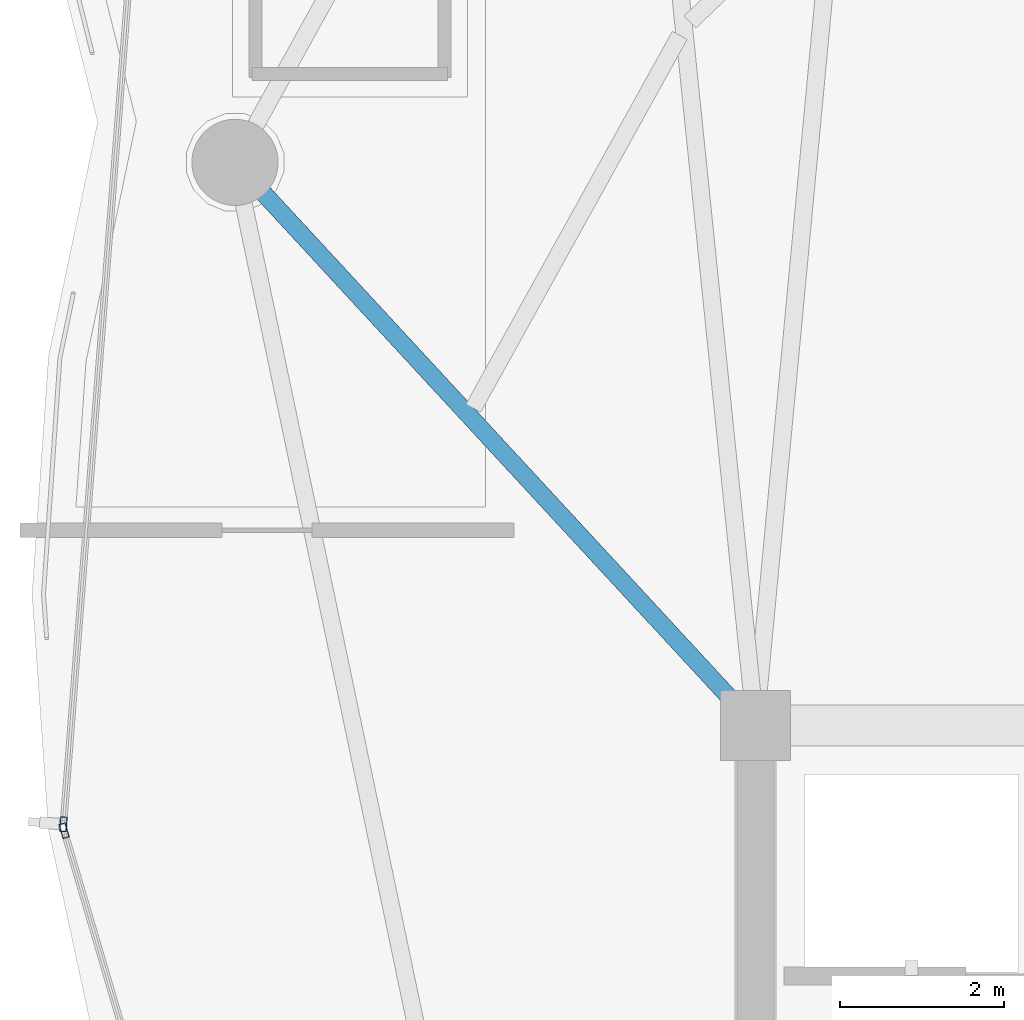
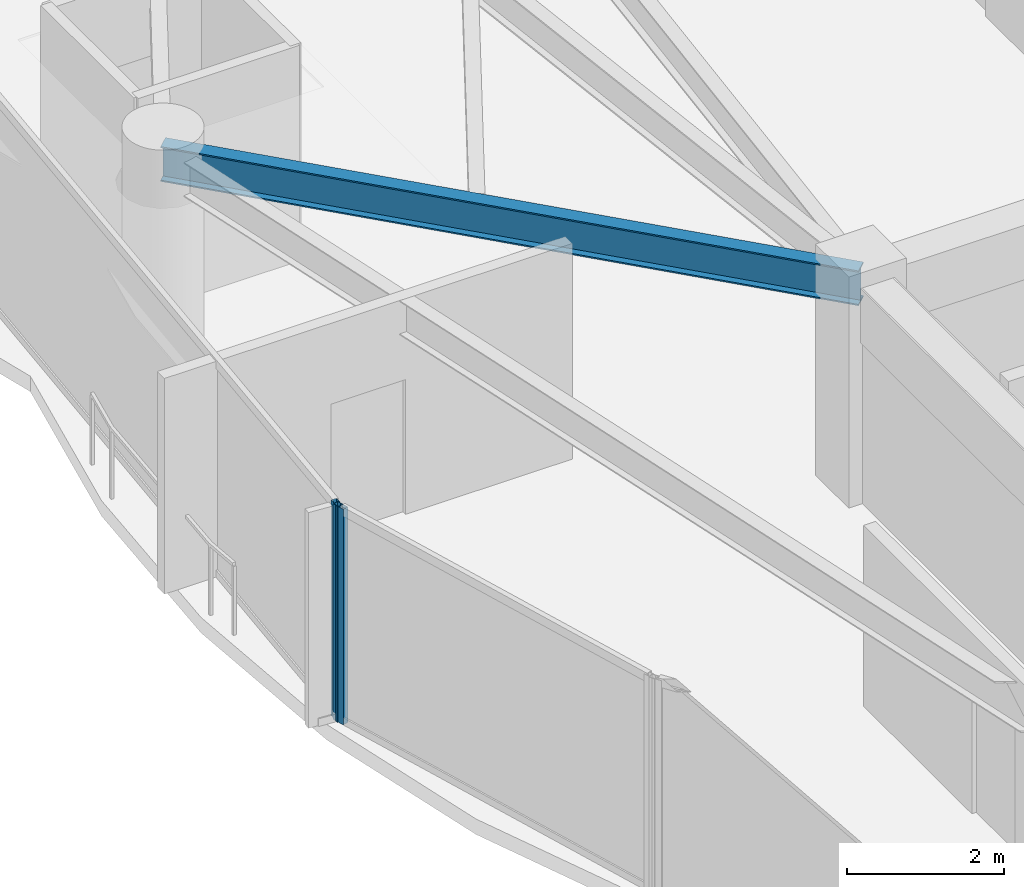
# One storey, part 8 of 30: 2 members, 1 beam, 2 elements without a shape of their own.
"""IFC4 building model written with IfcOpenShell, lengths in metres."""

from ifc_helpers import new_model, si_unit, direction, frame, origin, origin_2d, place, context, subcontext, project, spatial, hollow_rectangle, i_section, extrude, material, layer, layer_set, material_profile, profile_set, type_object, element, aggregate, save


model = new_model("IFC4")

# Units and contexts
model_context = context("Model", 3, precision=1e-05, world=origin(), true_north=direction((0.0, 1.0)))
body_context = subcontext(model_context, "Body", "Model", "MODEL_VIEW")
ifc_project = project(units=[si_unit("LENGTHUNIT", "METRE"), si_unit("AREAUNIT", "SQUARE_METRE"), si_unit("VOLUMEUNIT", "CUBIC_METRE"), si_unit("PLANEANGLEUNIT", "RADIAN"), si_unit("MASSUNIT", "GRAM", prefix="KILO")], contexts=[model_context])

# Site, building, storey
site_placement = place(None, origin())
site = spatial("IfcSite", under=ifc_project, at=site_placement, CompositionType="ELEMENT")
building_placement = place(site_placement, origin())
building = spatial("IfcBuilding", under=site, at=building_placement, Name="Kazevale Care Tower and Concert Hall", CompositionType="ELEMENT")
storey_placement = place(building_placement, frame((0.0, 0.0, 242.39990234375)))
storey = spatial("IfcBuildingStorey", under=building, at=storey_placement, Name="L64", CompositionType="ELEMENT", Elevation=242.39990234375)

# Curtain wall, member
ifc_material_1 = material(Name="Aluminium 6063-T6 and Low-E Glass", Category="aluminium")
ifc_layer = layer(ifc_material_1, 0.179931640625)
ifc_layer_set = layer_set([ifc_layer], Name="Aluminium 6063-T6 and Low-E Glass")
curtain_wall_type = type_object("IfcCurtainWallType", Name="Waist & Upper Residential Curtain Wall CW-4", PredefinedType="NOTDEFINED", material=ifc_layer_set)
curtain_wall_1_placement = place(storey_placement, origin())
curtain_wall_1 = element("IfcCurtainWall", 1, at=curtain_wall_1_placement, inside=storey, type_object=curtain_wall_type, Name="cw:L64:f12", PredefinedType="NOTDEFINED")
ifc_material_2 = material(Name="Aluminium 6063-T6", Category="aluminium")
ifc_material_profile_1 = material_profile(ifc_material_2, hollow_rectangle(XDim=0.080078125, YDim=0.179931640625, WallThickness=0.0048828125, at=origin_2d()), Name="ALU80x180x5")
ifc_profile_set_1 = profile_set([ifc_material_profile_1], Name="Aluminium 6063-T6")
member_type = type_object("IfcMemberType", Name="CW-4 Mullion ALU80x180x5", PredefinedType="MULLION", material=ifc_profile_set_1)
member_1_placement = place(storey_placement, frame((13.59033203125, 35.11865234375, 0.0), z_axis=(0.0, 0.0, 1.0), x_axis=(-0.959385539982, -0.282098184457, 0.0)))
member_1 = element("IfcMember", 2, at=member_1_placement, type_object=member_type, Name="CW-4 mullion 2", PredefinedType="MULLION", context=body_context, shape_type="SweptSolid", body=[
    extrude(hollow_rectangle(XDim=0.080078125, YDim=0.179931640625, WallThickness=0.0048828125, at=origin_2d()), origin(), (0.0, 0.0, 1.0), 3.360107421875),
])
aggregate(curtain_wall_1, [member_1])

curtain_wall_2_placement = place(storey_placement, origin())
curtain_wall_2 = element("IfcCurtainWall", 3, at=curtain_wall_2_placement, inside=storey, type_object=curtain_wall_type, Name="cw:L64:f13", PredefinedType="NOTDEFINED")
member_2_placement = place(storey_placement, frame((13.58203125, 35.19677734375, 0.0), z_axis=(0.0, 0.0, 1.0), x_axis=(-0.996989311372, 0.077539106325, 0.0)))
member_2 = element("IfcMember", 4, at=member_2_placement, type_object=member_type, Name="CW-4 mullion 1", PredefinedType="MULLION", context=body_context, shape_type="SweptSolid", body=[
    extrude(hollow_rectangle(XDim=0.080078125, YDim=0.179931640625, WallThickness=0.0048828125, at=origin_2d()), origin(), (0.0, 0.0, 1.0), 3.360107421875),
])
aggregate(curtain_wall_2, [member_2])

# Beam
ifc_material_3 = material(Name="Steel ASTM A572 Gr 50", Category="steel")
ifc_material_profile_2 = material_profile(ifc_material_3, i_section(OverallWidth=0.2119140625, OverallDepth=0.5439453125, WebThickness=0.01318359375, FlangeThickness=0.021240234375, at=origin_2d()), Name="W530x123")
ifc_profile_set_2 = profile_set([ifc_material_profile_2], Name="Steel ASTM A572 Gr 50")
beam_type = type_object("IfcBeamType", Name="Radial Floor Girder W530x123", PredefinedType="BEAM", material=ifc_profile_set_2)
beam_placement = place(storey_placement, frame((22.0, 36.39990234375, 3.088134765625), z_axis=(-0.678680078581, 0.734434034435, 0.0), x_axis=(-0.734434034435, -0.678680078581, 0.0)))
element("IfcBeam", 5, at=beam_placement, inside=storey, type_object=beam_type, Name="beam:L64:rad:09", PredefinedType="BEAM", context=body_context, shape_type="SweptSolid", body=[
    extrude(i_section(OverallWidth=0.2119140625, OverallDepth=0.5439453125, WebThickness=0.01318359375, FlangeThickness=0.021240234375, at=origin_2d()), origin(), (0.0, 0.0, 1.0), 9.3271484375),
])

save(model, "model.ifc")
